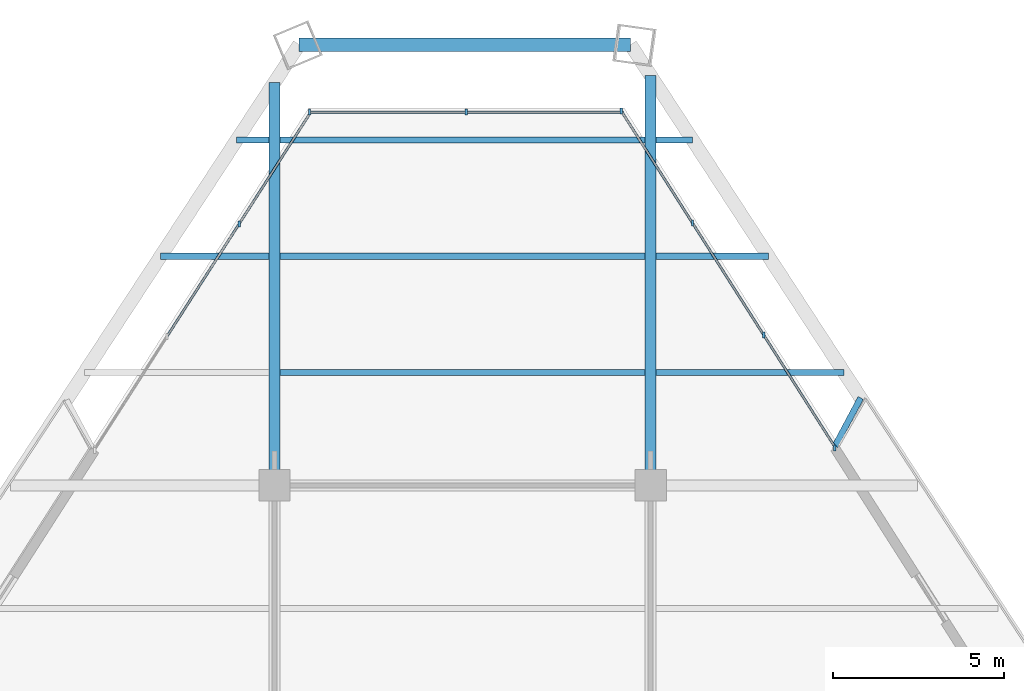
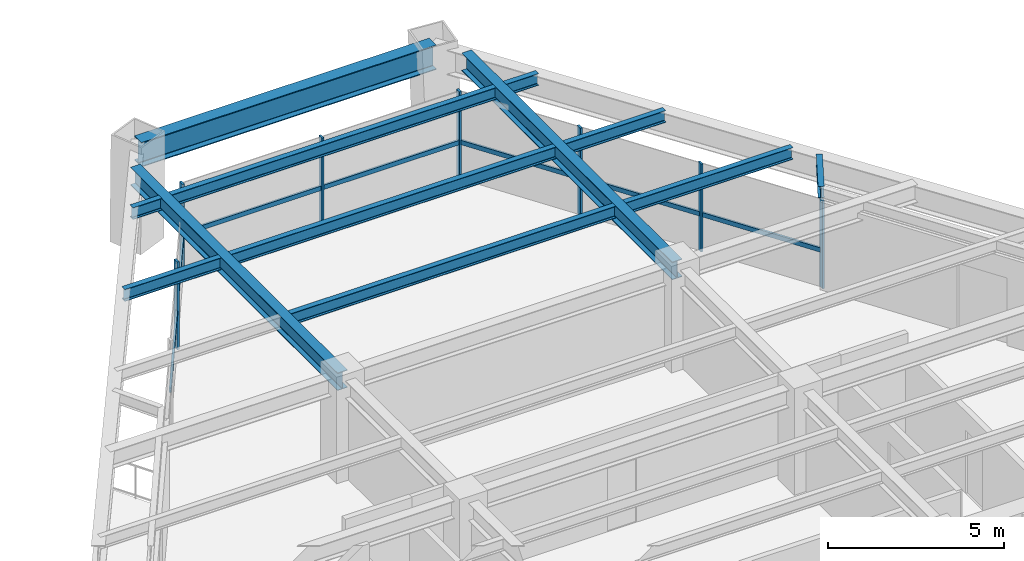
# One storey, part 9 of 15: 14 members, 12 beams, 3 elements without a shape of their own.
"""IFC4 building model written with IfcOpenShell, lengths in metres."""

from ifc_helpers import new_model, si_unit, direction, frame, origin, origin_2d, place, context, subcontext, project, spatial, rectangle, i_section, extrude, source, transform, mapped, material, material_profile, profile_set, type_object, element, aggregate, save


model = new_model("IFC4")

# Units and contexts
model_context = context("Model", 3, precision=1e-05, world=origin(), true_north=direction((0.0, 1.0)))
body_context = subcontext(model_context, "Body", "Model", "MODEL_VIEW")
ifc_project = project(units=[si_unit("LENGTHUNIT", "METRE"), si_unit("AREAUNIT", "SQUARE_METRE"), si_unit("VOLUMEUNIT", "CUBIC_METRE"), si_unit("PLANEANGLEUNIT", "RADIAN"), si_unit("MASSUNIT", "GRAM", prefix="KILO")], contexts=[model_context])

# Site, building, storey
site_placement = place(None, origin())
site = spatial("IfcSite", under=ifc_project, at=site_placement, CompositionType="ELEMENT")
building_placement = place(site_placement, origin())
building = spatial("IfcBuilding", under=site, at=building_placement, Name="Varnakhor Terracotta Tower", CompositionType="ELEMENT")
storey_placement = place(building_placement, frame((0.0, 0.0, 155.199951171875)))
storey = spatial("IfcBuildingStorey", under=building, at=storey_placement, Name="L39", CompositionType="ELEMENT", Elevation=155.199951171875)

# Beams
ifc_material_1 = material(Name="Steel S355", Category="steel")
ifc_material_profile_1 = material_profile(ifc_material_1, i_section(OverallWidth=0.179931640625, OverallDepth=0.4130859375, WebThickness=0.009765625, FlangeThickness=0.01611328125, FilletRadius=0.01806640625, at=origin_2d()), Name="W16X50")
ifc_profile_set_1 = profile_set([ifc_material_profile_1], Name="Steel S355")
beam_type_1 = type_object("IfcBeamType", Name="JST-W16X50", PredefinedType="JOIST", material=ifc_profile_set_1)
shared_shape_1 = source(origin(), body_context, "Body", "SweptSolid", [
    extrude(i_section(OverallWidth=0.179931640625, OverallDepth=0.4130859375, WebThickness=0.009765625, FlangeThickness=0.01611328125, FilletRadius=0.01806640625, at=origin_2d()), origin(), (0.0, 0.0, 1.0), 10.68310546875),
])
for number, where, z_axis, x_axis, name in (
    (1, (-5.341552734375, 34.800048828125, 3.263427734375), (1.0, 0.0, 0.0), (0.0, 1.0, 0.0), "L39 Composite Floor Joist 7-2"),
    (2, (-5.341552734375, 38.199951171875, 3.263427734375), (1.0, 0.0, 0.0), (0.0, 1.0, 0.0), "L39 Composite Floor Joist 8-2"),
    (3, (-5.341552734375, 41.60009765625, 3.263427734375), (1.0, 0.0, 0.0), (0.0, 1.0, 0.0), "L39 Composite Floor Joist 9-2"),
):
    element("IfcBeam", number, at=place(storey_placement, frame(where, z_axis=z_axis, x_axis=x_axis)), inside=storey, type_object=beam_type_1, Name=name, PredefinedType="JOIST", context=body_context, shape_type="MappedRepresentation", body=[
        mapped(shared_shape_1, transform((0.0, 0.0, 0.0), scale=1.0)),
    ])
ifc_material_profile_2 = material_profile(ifc_material_1, i_section(OverallWidth=0.39990234375, OverallDepth=0.85498046875, WebThickness=0.01806640625, FlangeThickness=0.029052734375, FilletRadius=0.01806640625, at=origin_2d()), Name="W33X201")
ifc_profile_set_2 = profile_set([ifc_material_profile_2], Name="Steel S355")
beam_type_2 = type_object("IfcBeamType", Name="BM-W33X201", PredefinedType="BEAM", material=ifc_profile_set_2)
shared_shape_2 = source(origin(), body_context, "Body", "SweptSolid", [
    extrude(i_section(OverallWidth=0.39990234375, OverallDepth=0.85498046875, WebThickness=0.01806640625, FlangeThickness=0.029052734375, FilletRadius=0.01806640625, at=origin_2d()), origin(), (0.0, 0.0, 1.0), 9.689697265625),
])
beam_1_placement = place(storey_placement, frame((4.91064453125, 44.39111328125, 3.04248046875), z_axis=(-1.0, 0.0, 0.0), x_axis=(0.0, -1.0, 0.0)))
element("IfcBeam", 4, at=beam_1_placement, inside=storey, type_object=beam_type_2, Name="L39 Perimeter Spandrel 5", PredefinedType="BEAM", context=body_context, shape_type="MappedRepresentation", body=[
    mapped(shared_shape_2, transform((0.0, 0.0, 0.0), scale=1.0)),
])
ifc_material_profile_3 = material_profile(ifc_material_1, i_section(OverallWidth=0.324951171875, OverallDepth=0.615966796875, WebThickness=0.013916015625, FlangeThickness=0.02197265625, FilletRadius=0.01806640625, at=origin_2d()), Name="W24X117")
ifc_profile_set_3 = profile_set([ifc_material_profile_3], Name="Steel S355")
beam_type_3 = type_object("IfcBeamType", Name="BM-W24X117", PredefinedType="BEAM", material=ifc_profile_set_3)
shared_shape_3 = source(origin(), body_context, "Body", "SweptSolid", [
    extrude(i_section(OverallWidth=0.324951171875, OverallDepth=0.615966796875, WebThickness=0.013916015625, FlangeThickness=0.02197265625, FilletRadius=0.01806640625, at=origin_2d()), origin(), (0.0, 0.0, 1.0), 11.789794921875),
])
beam_2_placement = place(storey_placement, frame((-5.5, 31.5, 3.162109375), z_axis=(0.0, 1.0, 0.0), x_axis=(-1.0, 0.0, 0.0)))
element("IfcBeam", 5, at=beam_2_placement, inside=storey, type_object=beam_type_3, Name="L39 Primary Girder NS3-W", PredefinedType="BEAM", context=body_context, shape_type="MappedRepresentation", body=[
    mapped(shared_shape_3, transform((0.0, 0.0, 0.0), scale=1.0)),
])
shared_shape_4 = source(origin(), body_context, "Body", "SweptSolid", [
    extrude(i_section(OverallWidth=0.324951171875, OverallDepth=0.615966796875, WebThickness=0.013916015625, FlangeThickness=0.02197265625, FilletRadius=0.01806640625, at=origin_2d()), origin(), (0.0, 0.0, 1.0), 11.98681640625),
])
beam_3_placement = place(storey_placement, frame((5.5, 31.5, 3.162109375), z_axis=(0.0, 1.0, 0.0), x_axis=(-1.0, 0.0, 0.0)))
element("IfcBeam", 6, at=beam_3_placement, inside=storey, type_object=beam_type_3, Name="L39 Primary Girder NS3-E", PredefinedType="BEAM", context=body_context, shape_type="MappedRepresentation", body=[
    mapped(shared_shape_4, transform((0.0, 0.0, 0.0), scale=1.0)),
])
shared_shape_5 = source(origin(), body_context, "Body", "SweptSolid", [
    extrude(i_section(OverallWidth=0.179931640625, OverallDepth=0.4130859375, WebThickness=0.009765625, FlangeThickness=0.01611328125, FilletRadius=0.01806640625, at=origin_2d()), origin(), (0.0, 0.0, 1.0), 5.5029296875),
])
beam_4_placement = place(storey_placement, frame((5.658447265625, 34.800048828125, 3.263427734375), z_axis=(1.0, 0.0, 0.0), x_axis=(0.0, 1.0, 0.0)))
element("IfcBeam", 7, at=beam_4_placement, inside=storey, type_object=beam_type_1, Name="L39 Composite Floor Joist 7-3", PredefinedType="JOIST", context=body_context, shape_type="MappedRepresentation", body=[
    mapped(shared_shape_5, transform((0.0, 0.0, 0.0), scale=1.0)),
])
shared_shape_6 = source(origin(), body_context, "Body", "SweptSolid", [
    extrude(i_section(OverallWidth=0.179931640625, OverallDepth=0.4130859375, WebThickness=0.009765625, FlangeThickness=0.01611328125, FilletRadius=0.01806640625, at=origin_2d()), origin(), (0.0, 0.0, 1.0), 3.173828125),
])
beam_5_placement = place(storey_placement, frame((-8.832275390625, 38.199951171875, 3.263427734375), z_axis=(1.0, 0.0, 0.0), x_axis=(0.0, 1.0, 0.0)))
element("IfcBeam", 8, at=beam_5_placement, inside=storey, type_object=beam_type_1, Name="L39 Composite Floor Joist 8-1", PredefinedType="JOIST", context=body_context, shape_type="MappedRepresentation", body=[
    mapped(shared_shape_6, transform((0.0, 0.0, 0.0), scale=1.0)),
])
shared_shape_7 = source(origin(), body_context, "Body", "SweptSolid", [
    extrude(i_section(OverallWidth=0.179931640625, OverallDepth=0.4130859375, WebThickness=0.009765625, FlangeThickness=0.01611328125, FilletRadius=0.01806640625, at=origin_2d()), origin(), (0.0, 0.0, 1.0), 3.287109375),
])
beam_6_placement = place(storey_placement, frame((5.658447265625, 38.199951171875, 3.263427734375), z_axis=(1.0, 0.0, 0.0), x_axis=(0.0, 1.0, 0.0)))
element("IfcBeam", 9, at=beam_6_placement, inside=storey, type_object=beam_type_1, Name="L39 Composite Floor Joist 8-3", PredefinedType="JOIST", context=body_context, shape_type="MappedRepresentation", body=[
    mapped(shared_shape_7, transform((0.0, 0.0, 0.0), scale=1.0)),
])
shared_shape_8 = source(origin(), body_context, "Body", "SweptSolid", [
    extrude(i_section(OverallWidth=0.179931640625, OverallDepth=0.4130859375, WebThickness=0.009765625, FlangeThickness=0.01611328125, FilletRadius=0.01806640625, at=origin_2d()), origin(), (0.0, 0.0, 1.0), 0.94775390625),
])
beam_7_placement = place(storey_placement, frame((-6.606201171875, 41.60009765625, 3.263427734375), z_axis=(1.0, 0.0, 0.0), x_axis=(0.0, 1.0, 0.0)))
element("IfcBeam", 10, at=beam_7_placement, inside=storey, type_object=beam_type_1, Name="L39 Composite Floor Joist 9-1", PredefinedType="JOIST", context=body_context, shape_type="MappedRepresentation", body=[
    mapped(shared_shape_8, transform((0.0, 0.0, 0.0), scale=1.0)),
])
shared_shape_9 = source(origin(), body_context, "Body", "SweptSolid", [
    extrude(i_section(OverallWidth=0.179931640625, OverallDepth=0.4130859375, WebThickness=0.009765625, FlangeThickness=0.01611328125, FilletRadius=0.01806640625, at=origin_2d()), origin(), (0.0, 0.0, 1.0), 1.071044921875),
])
beam_8_placement = place(storey_placement, frame((5.658447265625, 41.60009765625, 3.263427734375), z_axis=(1.0, 0.0, 0.0), x_axis=(0.0, 1.0, 0.0)))
element("IfcBeam", 11, at=beam_8_placement, inside=storey, type_object=beam_type_1, Name="L39 Composite Floor Joist 9-3", PredefinedType="JOIST", context=body_context, shape_type="MappedRepresentation", body=[
    mapped(shared_shape_9, transform((0.0, 0.0, 0.0), scale=1.0)),
])
ifc_material_profile_4 = material_profile(ifc_material_1, i_section(OverallWidth=0.179931640625, OverallDepth=0.39990234375, WebThickness=0.008544921875, FlangeThickness=0.013427734375, FilletRadius=0.01806640625, at=origin_2d()), Name="IPE400")
ifc_profile_set_4 = profile_set([ifc_material_profile_4], Name="Steel S355")
beam_type_4 = type_object("IfcBeamType", Name="JST-IPE400", PredefinedType="JOIST", material=ifc_profile_set_4)
shared_shape_10 = source(origin(), body_context, "Body", "SweptSolid", [
    extrude(i_section(OverallWidth=0.179931640625, OverallDepth=0.39990234375, WebThickness=0.008544921875, FlangeThickness=0.013427734375, FilletRadius=0.01806640625, at=origin_2d()), origin(), (0.0, 0.0, 1.0), 1.601806640625),
])
beam_9_placement = place(storey_placement, frame((10.8916015625, 32.643798828125, 3.27001953125), z_axis=(0.470651519782, 0.882319186534, 0.0), x_axis=(-0.882319186534, 0.470651519782, 0.0)))
element("IfcBeam", 12, at=beam_9_placement, inside=storey, type_object=beam_type_4, Name="L40 E Loggia Tie Beam 1", PredefinedType="JOIST", context=body_context, shape_type="MappedRepresentation", body=[
    mapped(shared_shape_10, transform((0.0, 0.0, 0.0), scale=1.0)),
])

# Curtain wall, member
ifc_material_2 = material(Name="Anodised Aluminium Curtain Wall System", Category="aluminium")
curtain_wall_type = type_object("IfcCurtainWallType", Name="CW-SYS-MID-OFFICE", PredefinedType="NOTDEFINED", material=ifc_material_2)
curtain_wall_1_placement = place(storey_placement, origin())
curtain_wall_1 = element("IfcCurtainWall", 13, at=curtain_wall_1_placement, inside=storey, type_object=curtain_wall_type, Name="L39 W Facet Curtain Wall 2", PredefinedType="NOTDEFINED")
ifc_material_3 = material(Name="Anodised Aluminium 6063-T6", Category="aluminium")
ifc_material_profile_5 = material_profile(ifc_material_3, rectangle(XDim=0.070068359375, YDim=0.175048828125, at=origin_2d()), Name="ALU MULLION 70x175")
ifc_profile_set_5 = profile_set([ifc_material_profile_5], Name="Anodised Aluminium 6063-T6")
member_type_1 = type_object("IfcMemberType", Name="CWM-03", PredefinedType="MULLION", material=ifc_profile_set_5)
shared_shape_11 = source(origin(), body_context, "Body", "SweptSolid", [
    extrude(rectangle(XDim=0.070068359375, YDim=0.175048828125, at=origin_2d()), origin(), (0.0, 0.0, 1.0), 3.050048828125),
])
member_1_placement = place(storey_placement, frame((-6.532958984375, 39.150146484375, 0.0), z_axis=(0.0, 0.0, 1.0), x_axis=(1.0, 0.0, 0.0)))
member_1 = element("IfcMember", 14, at=member_1_placement, type_object=member_type_1, Name="L39 W Facet Curtain Wall 2 Mullion 3", PredefinedType="MULLION", context=body_context, shape_type="MappedRepresentation", body=[
    mapped(shared_shape_11, transform((0.0, 0.0, 0.0), scale=1.0)),
])

# Curtain wall, members
curtain_wall_2_placement = place(storey_placement, origin())
curtain_wall_2 = element("IfcCurtainWall", 15, at=curtain_wall_2_placement, inside=storey, type_object=curtain_wall_type, Name="L39 Facet Curtain Wall 2", PredefinedType="NOTDEFINED")
member_2_placement = place(storey_placement, frame((-4.475830078125, 42.4140625, 0.0), z_axis=(0.0, 0.0, 1.0), x_axis=(1.0, 0.0, 0.0)))
member_2 = element("IfcMember", 16, at=member_2_placement, type_object=member_type_1, Name="L39 Facet Curtain Wall 2 Mullion 1", PredefinedType="MULLION", context=body_context, shape_type="MappedRepresentation", body=[
    mapped(shared_shape_11, transform((0.0, 0.0, 0.0), scale=1.0)),
])
member_3_placement = place(storey_placement, frame((0.1123046875, 42.4140625, 0.0), z_axis=(0.0, 0.0, 1.0), x_axis=(1.0, 0.0, 0.0)))
member_3 = element("IfcMember", 17, at=member_3_placement, type_object=member_type_1, Name="L39 Facet Curtain Wall 2 Mullion 2", PredefinedType="MULLION", context=body_context, shape_type="MappedRepresentation", body=[
    mapped(shared_shape_11, transform((0.0, 0.0, 0.0), scale=1.0)),
])

curtain_wall_3_placement = place(storey_placement, origin())
curtain_wall_3 = element("IfcCurtainWall", 18, at=curtain_wall_3_placement, inside=storey, type_object=curtain_wall_type, Name="L39 E Facet Curtain Wall 1", PredefinedType="NOTDEFINED")
member_4_placement = place(storey_placement, frame((4.645263671875, 42.4443359375, 0.0), z_axis=(0.0, 0.0, 1.0), x_axis=(1.0, 0.0, 0.0)))
member_4 = element("IfcMember", 19, at=member_4_placement, type_object=member_type_1, Name="L39 E Facet Curtain Wall 1 Mullion 1", PredefinedType="MULLION", context=body_context, shape_type="MappedRepresentation", body=[
    mapped(shared_shape_11, transform((0.0, 0.0, 0.0), scale=1.0)),
])
member_5_placement = place(storey_placement, frame((6.726806640625, 39.1708984375, 0.0), z_axis=(0.0, 0.0, 1.0), x_axis=(1.0, 0.0, 0.0)))
member_5 = element("IfcMember", 20, at=member_5_placement, type_object=member_type_1, Name="L39 E Facet Curtain Wall 1 Mullion 2", PredefinedType="MULLION", context=body_context, shape_type="MappedRepresentation", body=[
    mapped(shared_shape_11, transform((0.0, 0.0, 0.0), scale=1.0)),
])
member_6_placement = place(storey_placement, frame((8.80859375, 35.8974609375, 0.0), z_axis=(0.0, 0.0, 1.0), x_axis=(1.0, 0.0, 0.0)))
member_6 = element("IfcMember", 21, at=member_6_placement, type_object=member_type_1, Name="L39 E Facet Curtain Wall 1 Mullion 3", PredefinedType="MULLION", context=body_context, shape_type="MappedRepresentation", body=[
    mapped(shared_shape_11, transform((0.0, 0.0, 0.0), scale=1.0)),
])
member_7_placement = place(storey_placement, frame((10.88916015625, 32.588134765625, 0.0), z_axis=(0.0, 0.0, 1.0), x_axis=(1.0, 0.0, 0.0)))
member_7 = element("IfcMember", 22, at=member_7_placement, type_object=member_type_1, Name="L39 E Loggia Jamb Closure Mullion 1", PredefinedType="MULLION", context=body_context, shape_type="MappedRepresentation", body=[
    mapped(shared_shape_11, transform((0.0, 0.0, 0.0), scale=1.0)),
])

# Member
ifc_material_profile_6 = material_profile(ifc_material_3, rectangle(XDim=0.070068359375, YDim=0.155029296875, at=origin_2d()), Name="ALU TRANSOM 70x155")
ifc_profile_set_6 = profile_set([ifc_material_profile_6], Name="Anodised Aluminium 6063-T6")
member_type_2 = type_object("IfcMemberType", Name="CWT-03", PredefinedType="USERDEFINED", material=ifc_profile_set_6)
shared_shape_12 = source(origin(), body_context, "Body", "SweptSolid", [
    extrude(rectangle(XDim=0.070068359375, YDim=0.155029296875, at=origin_2d()), origin(), (0.0, 0.0, 1.0), 3.912841796875),
])
member_8_placement = place(storey_placement, frame((-8.64501953125, 35.856201171875, 1.281005859375), z_axis=(0.539767027984, 0.841814442441, 0.0), x_axis=(-0.841814442441, 0.539767027984, 0.0)))
member_8 = element("IfcMember", 23, at=member_8_placement, type_object=member_type_2, Name="L39 W Facet Curtain Wall 2 Transom 2", ObjectType="TRANSOM", PredefinedType="USERDEFINED", context=body_context, shape_type="MappedRepresentation", body=[
    mapped(shared_shape_12, transform((0.0, 0.0, 0.0), scale=1.0)),
])

member_9_placement = place(storey_placement, frame((-6.532958984375, 39.150146484375, 1.281005859375), z_axis=(0.539722810429, 0.841842792868, 0.0), x_axis=(-0.841842792868, 0.539722810429, 0.0)))
member_9 = element("IfcMember", 24, at=member_9_placement, type_object=member_type_2, Name="L39 W Facet Curtain Wall 2 Transom 3", ObjectType="TRANSOM", PredefinedType="USERDEFINED", context=body_context, shape_type="MappedRepresentation", body=[
    mapped(shared_shape_12, transform((0.0, 0.0, 0.0), scale=1.0)),
])

aggregate(curtain_wall_1, [member_8, member_1, member_9])

shared_shape_13 = source(origin(), body_context, "Body", "SweptSolid", [
    extrude(rectangle(XDim=0.070068359375, YDim=0.155029296875, at=origin_2d()), origin(), (0.0, 0.0, 1.0), 4.588134765625),
])
member_10_placement = place(storey_placement, frame((-4.475830078125, 42.4140625, 1.281005859375), z_axis=(1.0, 0.0, 0.0), x_axis=(0.0, 1.0, 0.0)))
member_10 = element("IfcMember", 25, at=member_10_placement, type_object=member_type_2, Name="L39 Facet Curtain Wall 2 Transom 1", ObjectType="TRANSOM", PredefinedType="USERDEFINED", context=body_context, shape_type="MappedRepresentation", body=[
    mapped(shared_shape_13, transform((0.0, 0.0, 0.0), scale=1.0)),
])

member_11_placement = place(storey_placement, frame((0.1123046875, 42.4140625, 1.281005859375), z_axis=(1.0, 0.0, 0.0), x_axis=(0.0, 1.0, 0.0)))
member_11 = element("IfcMember", 26, at=member_11_placement, type_object=member_type_2, Name="L39 Facet Curtain Wall 2 Transom 2", ObjectType="TRANSOM", PredefinedType="USERDEFINED", context=body_context, shape_type="MappedRepresentation", body=[
    mapped(shared_shape_13, transform((0.0, 0.0, 0.0), scale=1.0)),
])

aggregate(curtain_wall_2, [member_2, member_10, member_3, member_11])

shared_shape_14 = source(origin(), body_context, "Body", "SweptSolid", [
    extrude(rectangle(XDim=0.070068359375, YDim=0.155029296875, at=origin_2d()), origin(), (0.0, 0.0, 1.0), 3.879150390625),
])
member_12_placement = place(storey_placement, frame((4.645263671875, 42.4443359375, 1.281005859375), z_axis=(0.536590399516, -0.843842842683, 0.0), x_axis=(0.843842842683, 0.536590399516, 0.0)))
member_12 = element("IfcMember", 27, at=member_12_placement, type_object=member_type_2, Name="L39 E Facet Curtain Wall 1 Transom 1", ObjectType="TRANSOM", PredefinedType="USERDEFINED", context=body_context, shape_type="MappedRepresentation", body=[
    mapped(shared_shape_14, transform((0.0, 0.0, 0.0), scale=1.0)),
])

member_13_placement = place(storey_placement, frame((8.80859375, 35.8974609375, 1.281005859375), z_axis=(0.536545582523, -0.843871339645, 0.0), x_axis=(0.843871339645, 0.536545582523, 0.0)))
member_13 = element("IfcMember", 28, at=member_13_placement, type_object=member_type_2, Name="L39 E Facet Curtain Wall 1 Transom 3", ObjectType="TRANSOM", PredefinedType="USERDEFINED", context=body_context, shape_type="MappedRepresentation", body=[
    mapped(shared_shape_14, transform((0.0, 0.0, 0.0), scale=1.0)),
])

shared_shape_15 = source(origin(), body_context, "Body", "SweptSolid", [
    extrude(rectangle(XDim=0.070068359375, YDim=0.155029296875, at=origin_2d()), origin(), (0.0, 0.0, 1.0), 3.87939453125),
])
member_14_placement = place(storey_placement, frame((6.726806640625, 39.1708984375, 1.281005859375), z_axis=(0.536635211969, -0.843814345265, 0.0), x_axis=(0.843814345265, 0.536635211969, 0.0)))
member_14 = element("IfcMember", 29, at=member_14_placement, type_object=member_type_2, Name="L39 E Facet Curtain Wall 1 Transom 2", ObjectType="TRANSOM", PredefinedType="USERDEFINED", context=body_context, shape_type="MappedRepresentation", body=[
    mapped(shared_shape_15, transform((0.0, 0.0, 0.0), scale=1.0)),
])

aggregate(curtain_wall_3, [member_4, member_12, member_5, member_14, member_6, member_13, member_7])

save(model, "model.ifc")
